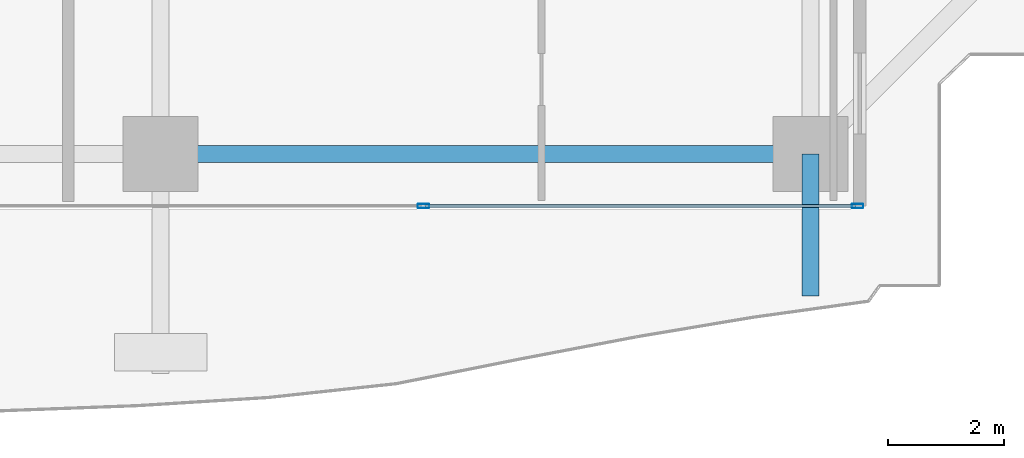
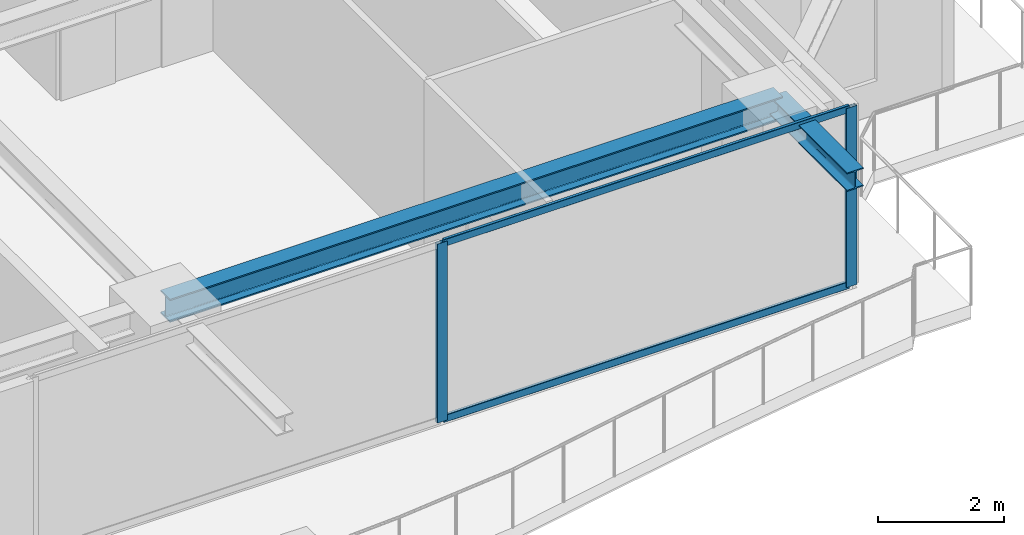
# One storey, part 11 of 35: 4 members, 2 beams, 1 element without a shape of its own.
"""IFC4 building model written with IfcOpenShell, lengths in metres."""

from ifc_helpers import new_model, si_unit, direction, frame, origin, origin_2d, place, context, subcontext, project, spatial, hollow_rectangle, i_section, extrude, source, transform, mapped, material, layer, layer_set, material_profile, profile_set, type_object, element, aggregate, save


model = new_model("IFC4")

# Units and contexts
model_context = context("Model", 3, precision=1e-05, world=origin(), true_north=direction((0.0, 1.0)))
body_context = subcontext(model_context, "Body", "Model", "MODEL_VIEW")
ifc_project = project(units=[si_unit("LENGTHUNIT", "METRE"), si_unit("AREAUNIT", "SQUARE_METRE"), si_unit("VOLUMEUNIT", "CUBIC_METRE"), si_unit("PLANEANGLEUNIT", "RADIAN"), si_unit("MASSUNIT", "GRAM", prefix="KILO")], contexts=[model_context])

# Site, building, storey
site_placement = place(None, origin())
site = spatial("IfcSite", under=ifc_project, at=site_placement, CompositionType="ELEMENT")
building_placement = place(site_placement, origin())
building = spatial("IfcBuilding", under=site, at=building_placement, Name="Serunith Strait Residences", CompositionType="ELEMENT")
storey_placement = place(building_placement, frame((0.0, 0.0, 172.64990234375)))
storey = spatial("IfcBuildingStorey", under=building, at=storey_placement, Name="L43", CompositionType="ELEMENT", Elevation=172.64990234375)

# Beams
ifc_material_1 = material(Name="Steel S355J2", Category="steel")
ifc_material_profile_1 = material_profile(ifc_material_1, i_section(OverallWidth=0.300048828125, OverallDepth=0.449951171875, WebThickness=0.013916015625, FlangeThickness=0.02587890625, FilletRadius=0.027099609375, at=origin_2d()), Name="HEB 450")
ifc_profile_set_1 = profile_set([ifc_material_profile_1], Name="Steel S355J2")
beam_type_1 = type_object("IfcBeamType", Name="BM-HEB450", PredefinedType="BEAM", material=ifc_profile_set_1)
shared_shape_1 = source(origin(), body_context, "Body", "SweptSolid", [
    extrude(i_section(OverallWidth=0.300048828125, OverallDepth=0.449951171875, WebThickness=0.013916015625, FlangeThickness=0.02587890625, FilletRadius=0.027099609375, at=origin_2d()), origin(), (0.0, 0.0, 1.0), 11.25),
])
beam_1_placement = place(storey_placement, frame((36.89990234375, 2.300048828125, 3.26220703125), z_axis=(1.0, 0.0, 0.0), x_axis=(0.0, 1.0, 0.0)))
element("IfcBeam", 1, at=beam_1_placement, inside=storey, type_object=beam_type_1, Name="L43 Perimeter Ring Beam 03", PredefinedType="BEAM", context=body_context, shape_type="MappedRepresentation", body=[
    mapped(shared_shape_1, transform((0.0, 0.0, 0.0), scale=1.0)),
])
ifc_material_profile_2 = material_profile(ifc_material_1, i_section(OverallWidth=0.300048828125, OverallDepth=0.360107421875, WebThickness=0.012451171875, FlangeThickness=0.0224609375, FilletRadius=0.027099609375, at=origin_2d()), Name="HEB 360")
ifc_profile_set_2 = profile_set([ifc_material_profile_2], Name="Steel S355J2")
beam_type_2 = type_object("IfcBeamType", Name="BM-HEB360", PredefinedType="BEAM", material=ifc_profile_set_2)
shared_shape_2 = source(origin(), body_context, "Body", "SweptSolid", [
    extrude(i_section(OverallWidth=0.300048828125, OverallDepth=0.360107421875, WebThickness=0.012451171875, FlangeThickness=0.0224609375, FilletRadius=0.027099609375, at=origin_2d()), origin(), (0.0, 0.0, 1.0), 2.459716796875),
])
beam_2_placement = place(storey_placement, frame((48.14990234375, 2.300048828125, 3.277099609375), z_axis=(0.0, -1.0, 0.0), x_axis=(1.0, 0.0, 0.0)))
element("IfcBeam", 2, at=beam_2_placement, inside=storey, type_object=beam_type_2, Name="L44 Cantilevered Balcony Rib TC-S4", PredefinedType="BEAM", context=body_context, shape_type="MappedRepresentation", body=[
    mapped(shared_shape_2, transform((0.0, 0.0, 0.0), scale=1.0)),
])

# Curtain wall, members
ifc_material_2 = material(Name="Pale-Champagne Anodised Aluminium", Category="aluminium")
ifc_layer = layer(ifc_material_2, 0.199951171875, Name="Pale-Champagne Anodised Aluminium")
ifc_layer_set = layer_set([ifc_layer], Name="Pale-Champagne Anodised Aluminium")
curtain_wall_type = type_object("IfcCurtainWallType", Name="CW-SYS2", PredefinedType="NOTDEFINED", material=ifc_layer_set)
curtain_wall_placement = place(storey_placement, origin())
curtain_wall = element("IfcCurtainWall", 3, at=curtain_wall_placement, inside=storey, type_object=curtain_wall_type, Name="L43 S Unitised Fritted Curtain Wall", PredefinedType="NOTDEFINED")
ifc_material_profile_3 = material_profile(ifc_material_2, hollow_rectangle(XDim=0.070068359375, YDim=0.199951171875, WallThickness=0.00390625, InnerFilletRadius=0.006103515625, OuterFilletRadius=0.010009765625, at=origin_2d()), Name="ALU 200x70x4")
ifc_profile_set_3 = profile_set([ifc_material_profile_3], Name="Pale-Champagne Anodised Aluminium")
member_type_1 = type_object("IfcMemberType", Name="CW-SYS2-MULL", PredefinedType="MULLION", material=ifc_profile_set_3)
shared_shape_3 = source(origin(), body_context, "Body", "SweptSolid", [
    extrude(hollow_rectangle(XDim=0.070068359375, YDim=0.199951171875, WallThickness=0.00390625, InnerFilletRadius=0.006103515625, OuterFilletRadius=0.010009765625, at=origin_2d()), origin(), (0.0, 0.0, 1.0), 3.47509765625),
])
member_1_placement = place(storey_placement, frame((41.449951171875, 1.39990234375, 0.0), z_axis=(0.0, 0.0, 1.0), x_axis=(0.0, 1.0, 0.0)))
member_1 = element("IfcMember", 4, at=member_1_placement, type_object=member_type_1, Name="CW-2 mullion 2", PredefinedType="MULLION", context=body_context, shape_type="MappedRepresentation", body=[
    mapped(shared_shape_3, transform((0.0, 0.0, 0.0), scale=1.0)),
])
member_2_placement = place(storey_placement, frame((48.965087890625, 1.39990234375, 0.0), z_axis=(0.0, 0.0, 1.0), x_axis=(0.0, 1.0, 0.0)))
member_2 = element("IfcMember", 5, at=member_2_placement, type_object=member_type_1, Name="CW-2 mullion 3", PredefinedType="MULLION", context=body_context, shape_type="MappedRepresentation", body=[
    mapped(shared_shape_3, transform((0.0, 0.0, 0.0), scale=1.0)),
])
ifc_material_profile_4 = material_profile(ifc_material_2, hollow_rectangle(XDim=0.06005859375, YDim=0.139892578125, WallThickness=0.00341796875, InnerFilletRadius=0.00537109375, OuterFilletRadius=0.0087890625, at=origin_2d()), Name="ALU 140x60x3.5")
ifc_profile_set_4 = profile_set([ifc_material_profile_4], Name="Pale-Champagne Anodised Aluminium")
member_type_2 = type_object("IfcMemberType", Name="CW-SYS2-TRAN", PredefinedType="USERDEFINED", material=ifc_profile_set_4)
shared_shape_4 = source(origin(), body_context, "Body", "SweptSolid", [
    extrude(hollow_rectangle(XDim=0.06005859375, YDim=0.139892578125, WallThickness=0.00341796875, InnerFilletRadius=0.00537109375, OuterFilletRadius=0.0087890625, at=origin_2d()), origin(), (0.0, 0.0, 1.0), 7.44482421875),
])
member_3_placement = place(storey_placement, frame((41.485107421875, 1.39990234375, 0.030029296875), z_axis=(1.0, 0.0, 0.0), x_axis=(0.0, 1.0, 0.0)))
member_3 = element("IfcMember", 6, at=member_3_placement, type_object=member_type_2, Name="CW-2 transom 2.1", ObjectType="TRANSOM", PredefinedType="USERDEFINED", context=body_context, shape_type="MappedRepresentation", body=[
    mapped(shared_shape_4, transform((0.0, 0.0, 0.0), scale=1.0)),
])
member_4_placement = place(storey_placement, frame((41.485107421875, 1.39990234375, 3.445068359375), z_axis=(1.0, 0.0, 0.0), x_axis=(0.0, 1.0, 0.0)))
member_4 = element("IfcMember", 7, at=member_4_placement, type_object=member_type_2, Name="CW-2 transom 2.2", ObjectType="TRANSOM", PredefinedType="USERDEFINED", context=body_context, shape_type="MappedRepresentation", body=[
    mapped(shared_shape_4, transform((0.0, 0.0, 0.0), scale=1.0)),
])
aggregate(curtain_wall, [member_1, member_2, member_3, member_4])

save(model, "model.ifc")
